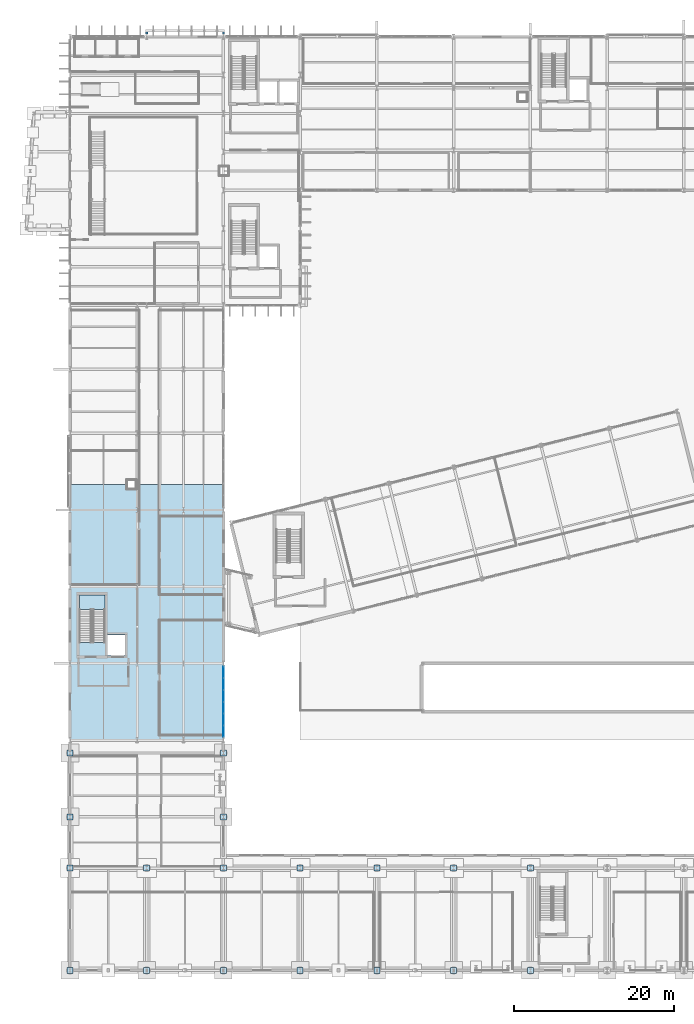
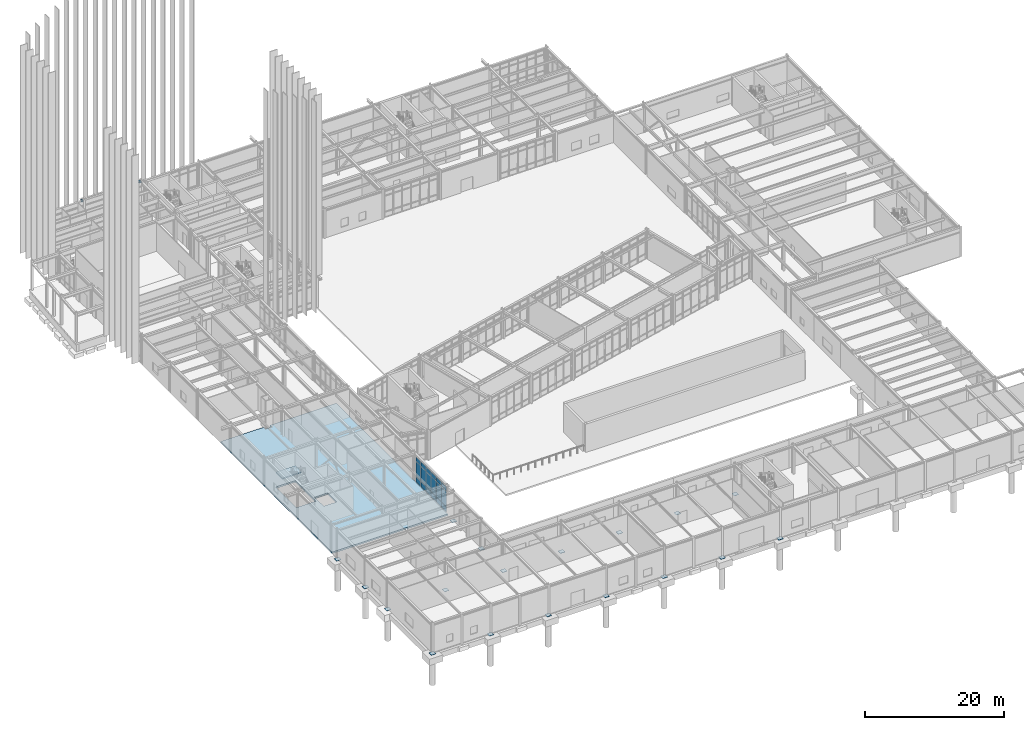
# One storey, part 65 of 109: 36 plates, 2 beams, 2 slabs, 2 elements without a shape of their own.
"""IFC4 building model written with IfcOpenShell, lengths in metres."""

from ifc_helpers import new_model, si_unit, direction, frame, origin, origin_2d, place, context, subcontext, project, spatial, polyline, rectangle, i_section, outline, extrude, material, layer, layer_set, material_profile, profile_set, type_object, element, aggregate, save


model = new_model("IFC4")

# Units and contexts
model_context = context("Model", 3, precision=1e-05, world=origin(), true_north=direction((0.0, 1.0)))
body_context = subcontext(model_context, "Body", "Model", "MODEL_VIEW")
ifc_project = project(units=[si_unit("LENGTHUNIT", "METRE"), si_unit("AREAUNIT", "SQUARE_METRE"), si_unit("VOLUMEUNIT", "CUBIC_METRE"), si_unit("PLANEANGLEUNIT", "RADIAN"), si_unit("MASSUNIT", "GRAM", prefix="KILO")], contexts=[model_context])

# Site, building, storey
site_placement = place(None, origin())
site = spatial("IfcSite", under=ifc_project, at=site_placement, CompositionType="ELEMENT")
building_placement = place(site_placement, origin())
building = spatial("IfcBuilding", under=site, at=building_placement, Name="Nordkorset Police Headquarters", CompositionType="ELEMENT")
storey_placement = place(building_placement, origin())
storey = spatial("IfcBuildingStorey", under=building, at=storey_placement, Name="L00", CompositionType="ELEMENT", Elevation=0.0)

# Beams
ifc_material_1 = material(Name="Steel S355J2", Category="steel")
ifc_material_profile = material_profile(ifc_material_1, i_section(OverallWidth=0.280029296875, OverallDepth=0.27001953125, WebThickness=0.008056640625, FlangeThickness=0.012939453125, FilletRadius=0.02392578125, at=origin_2d()), Name="HEA 280")
ifc_profile_set = profile_set([ifc_material_profile], Name="Steel S355J2")
beam_type = type_object("IfcBeamType", Name="Spandrel_HEA_280", PredefinedType="SPANDREL", material=ifc_profile_set)
for number, where, z_axis, x_axis, name in (
    (1, (9.60009765625, 117.1240234375, 4.60009765625), (0.0, 1.0, 0.0), (-1.0, 0.0, 0.0), "Facade Fin Outrigger Beam North 1"),
    (2, (19.199951171875, 117.1240234375, 4.60009765625), (0.0, 1.0, 0.0), (-1.0, 0.0, 0.0), "Facade Fin Outrigger Beam North 2"),
):
    element("IfcBeam", number, at=place(storey_placement, frame(where, z_axis=z_axis, x_axis=x_axis)), inside=storey, type_object=beam_type, Name=name, PredefinedType="SPANDREL", context=body_context, shape_type="SweptSolid", body=[
        extrude(i_section(OverallWidth=0.280029296875, OverallDepth=0.27001953125, WebThickness=0.008056640625, FlangeThickness=0.012939453125, FilletRadius=0.02392578125, at=origin_2d()), origin(), (0.0, 0.0, 1.0), 0.285888671875),
    ])

# Curtain wall, plates
ifc_material_2 = material(Name="Aluminium alloy AW-6060", Category="aluminium")
ifc_layer_1 = layer(ifc_material_2, 0.179931640625, Name="Aluminium alloy AW-6060")
ifc_layer_set_1 = layer_set([ifc_layer_1], Name="Aluminium alloy AW-6060")
curtain_wall_type = type_object("IfcCurtainWallType", Name="CW_Unit_888x454", PredefinedType="USERDEFINED", material=ifc_layer_set_1)
curtain_wall_placement = place(storey_placement, origin())
curtain_wall = element("IfcCurtainWall", 3, at=curtain_wall_placement, inside=storey, type_object=curtain_wall_type, Name="Unitised Curtain Wall L00 V3E-0", ObjectType="UNITISED CURTAIN WALL", PredefinedType="USERDEFINED")
ifc_material_3 = material(Name="Low-iron triple glazing", Category="glass")
ifc_layer_2 = layer(ifc_material_3, 0.035888671875, Name="Low-iron triple glazing")
ifc_layer_set_2 = layer_set([ifc_layer_2], Name="Low-iron triple glazing")
plate_type_1 = type_object("IfcPlateType", Name="CW_Panel_TripleGlazing_36", PredefinedType="CURTAIN_PANEL", material=ifc_layer_set_2)
plate_1_placement = place(storey_placement, frame((19.199951171875, 29.916259765625, 0.06494140625), z_axis=(0.0, 0.0, 1.0), x_axis=(0.0, 1.0, 0.0)))
plate_1 = element("IfcPlate", 4, at=plate_1_placement, type_object=plate_type_1, Name="CW-82 panel 1.1", PredefinedType="CURTAIN_PANEL", context=body_context, shape_type="SweptSolid", body=[
    extrude(rectangle(XDim=1.382568359375, YDim=0.035888671875, at=origin_2d()), origin(), (0.0, 0.0, 1.0), 0.902587890625),
])
plate_2_placement = place(storey_placement, frame((19.199951171875, 29.916259765625, 1.032470703125), z_axis=(0.0, 0.0, 1.0), x_axis=(0.0, 1.0, 0.0)))
plate_2 = element("IfcPlate", 5, at=plate_2_placement, type_object=plate_type_1, Name="CW-82 panel 1.2", PredefinedType="CURTAIN_PANEL", context=body_context, shape_type="SweptSolid", body=[
    extrude(rectangle(XDim=1.382568359375, YDim=0.035888671875, at=origin_2d()), origin(), (0.0, 0.0, 1.0), 2.625),
])
plate_3_placement = place(storey_placement, frame((19.199951171875, 29.916259765625, 3.722412109375), z_axis=(0.0, 0.0, 1.0), x_axis=(0.0, 1.0, 0.0)))
plate_3 = element("IfcPlate", 6, at=plate_3_placement, type_object=plate_type_1, Name="CW-82 panel 1.3", PredefinedType="CURTAIN_PANEL", context=body_context, shape_type="SweptSolid", body=[
    extrude(rectangle(XDim=1.382568359375, YDim=0.035888671875, at=origin_2d()), origin(), (0.0, 0.0, 1.0), 0.75244140625),
])
plate_4_placement = place(storey_placement, frame((19.199951171875, 31.3798828125, 0.06494140625), z_axis=(0.0, 0.0, 1.0), x_axis=(0.0, 1.0, 0.0)))
plate_4 = element("IfcPlate", 7, at=plate_4_placement, type_object=plate_type_1, Name="CW-82 panel 2.1", PredefinedType="CURTAIN_PANEL", context=body_context, shape_type="SweptSolid", body=[
    extrude(rectangle(XDim=1.4150390625, YDim=0.035888671875, at=origin_2d()), origin(), (0.0, 0.0, 1.0), 0.902587890625),
])
plate_5_placement = place(storey_placement, frame((19.199951171875, 31.3798828125, 1.032470703125), z_axis=(0.0, 0.0, 1.0), x_axis=(0.0, 1.0, 0.0)))
plate_5 = element("IfcPlate", 8, at=plate_5_placement, type_object=plate_type_1, Name="CW-82 panel 2.2", PredefinedType="CURTAIN_PANEL", context=body_context, shape_type="SweptSolid", body=[
    extrude(rectangle(XDim=1.4150390625, YDim=0.035888671875, at=origin_2d()), origin(), (0.0, 0.0, 1.0), 2.625),
])
plate_6_placement = place(storey_placement, frame((19.199951171875, 31.3798828125, 3.722412109375), z_axis=(0.0, 0.0, 1.0), x_axis=(0.0, 1.0, 0.0)))
plate_6 = element("IfcPlate", 9, at=plate_6_placement, type_object=plate_type_1, Name="CW-82 panel 2.3", PredefinedType="CURTAIN_PANEL", context=body_context, shape_type="SweptSolid", body=[
    extrude(rectangle(XDim=1.4150390625, YDim=0.035888671875, at=origin_2d()), origin(), (0.0, 0.0, 1.0), 0.75244140625),
])
plate_7_placement = place(storey_placement, frame((19.199951171875, 32.860107421875, 0.06494140625), z_axis=(0.0, 0.0, 1.0), x_axis=(0.0, 1.0, 0.0)))
plate_7 = element("IfcPlate", 10, at=plate_7_placement, type_object=plate_type_1, Name="CW-82 panel 3.1", PredefinedType="CURTAIN_PANEL", context=body_context, shape_type="SweptSolid", body=[
    extrude(rectangle(XDim=1.4150390625, YDim=0.035888671875, at=origin_2d()), origin(), (0.0, 0.0, 1.0), 0.902587890625),
])
plate_8_placement = place(storey_placement, frame((19.199951171875, 32.860107421875, 1.032470703125), z_axis=(0.0, 0.0, 1.0), x_axis=(0.0, 1.0, 0.0)))
plate_8 = element("IfcPlate", 11, at=plate_8_placement, type_object=plate_type_1, Name="CW-82 panel 3.2", PredefinedType="CURTAIN_PANEL", context=body_context, shape_type="SweptSolid", body=[
    extrude(rectangle(XDim=1.4150390625, YDim=0.035888671875, at=origin_2d()), origin(), (0.0, 0.0, 1.0), 2.625),
])
plate_9_placement = place(storey_placement, frame((19.199951171875, 32.860107421875, 3.722412109375), z_axis=(0.0, 0.0, 1.0), x_axis=(0.0, 1.0, 0.0)))
plate_9 = element("IfcPlate", 12, at=plate_9_placement, type_object=plate_type_1, Name="CW-82 panel 3.3", PredefinedType="CURTAIN_PANEL", context=body_context, shape_type="SweptSolid", body=[
    extrude(rectangle(XDim=1.4150390625, YDim=0.035888671875, at=origin_2d()), origin(), (0.0, 0.0, 1.0), 0.75244140625),
])
plate_10_placement = place(storey_placement, frame((19.199951171875, 34.340087890625, 0.06494140625), z_axis=(0.0, 0.0, 1.0), x_axis=(0.0, 1.0, 0.0)))
plate_10 = element("IfcPlate", 13, at=plate_10_placement, type_object=plate_type_1, Name="CW-82 panel 4.1", PredefinedType="CURTAIN_PANEL", context=body_context, shape_type="SweptSolid", body=[
    extrude(rectangle(XDim=1.4150390625, YDim=0.035888671875, at=origin_2d()), origin(), (0.0, 0.0, 1.0), 0.902587890625),
])
plate_11_placement = place(storey_placement, frame((19.199951171875, 34.340087890625, 1.032470703125), z_axis=(0.0, 0.0, 1.0), x_axis=(0.0, 1.0, 0.0)))
plate_11 = element("IfcPlate", 14, at=plate_11_placement, type_object=plate_type_1, Name="CW-82 panel 4.2", PredefinedType="CURTAIN_PANEL", context=body_context, shape_type="SweptSolid", body=[
    extrude(rectangle(XDim=1.4150390625, YDim=0.035888671875, at=origin_2d()), origin(), (0.0, 0.0, 1.0), 2.625),
])
plate_12_placement = place(storey_placement, frame((19.199951171875, 34.340087890625, 3.722412109375), z_axis=(0.0, 0.0, 1.0), x_axis=(0.0, 1.0, 0.0)))
plate_12 = element("IfcPlate", 15, at=plate_12_placement, type_object=plate_type_1, Name="CW-82 panel 4.3", PredefinedType="CURTAIN_PANEL", context=body_context, shape_type="SweptSolid", body=[
    extrude(rectangle(XDim=1.4150390625, YDim=0.035888671875, at=origin_2d()), origin(), (0.0, 0.0, 1.0), 0.75244140625),
])
plate_13_placement = place(storey_placement, frame((19.199951171875, 35.820068359375, 0.06494140625), z_axis=(0.0, 0.0, 1.0), x_axis=(0.0, 1.0, 0.0)))
plate_13 = element("IfcPlate", 16, at=plate_13_placement, type_object=plate_type_1, Name="CW-82 panel 5.1", PredefinedType="CURTAIN_PANEL", context=body_context, shape_type="SweptSolid", body=[
    extrude(rectangle(XDim=1.4150390625, YDim=0.035888671875, at=origin_2d()), origin(), (0.0, 0.0, 1.0), 0.902587890625),
])
plate_14_placement = place(storey_placement, frame((19.199951171875, 35.820068359375, 1.032470703125), z_axis=(0.0, 0.0, 1.0), x_axis=(0.0, 1.0, 0.0)))
plate_14 = element("IfcPlate", 17, at=plate_14_placement, type_object=plate_type_1, Name="CW-82 panel 5.2", PredefinedType="CURTAIN_PANEL", context=body_context, shape_type="SweptSolid", body=[
    extrude(rectangle(XDim=1.4150390625, YDim=0.035888671875, at=origin_2d()), origin(), (0.0, 0.0, 1.0), 2.625),
])
plate_15_placement = place(storey_placement, frame((19.199951171875, 35.820068359375, 3.722412109375), z_axis=(0.0, 0.0, 1.0), x_axis=(0.0, 1.0, 0.0)))
plate_15 = element("IfcPlate", 18, at=plate_15_placement, type_object=plate_type_1, Name="CW-82 panel 5.3", PredefinedType="CURTAIN_PANEL", context=body_context, shape_type="SweptSolid", body=[
    extrude(rectangle(XDim=1.4150390625, YDim=0.035888671875, at=origin_2d()), origin(), (0.0, 0.0, 1.0), 0.75244140625),
])
plate_16_placement = place(storey_placement, frame((19.199951171875, 37.28369140625, 0.06494140625), z_axis=(0.0, 0.0, 1.0), x_axis=(0.0, 1.0, 0.0)))
plate_16 = element("IfcPlate", 19, at=plate_16_placement, type_object=plate_type_1, Name="CW-82 panel 6.1", PredefinedType="CURTAIN_PANEL", context=body_context, shape_type="SweptSolid", body=[
    extrude(rectangle(XDim=1.382568359375, YDim=0.035888671875, at=origin_2d()), origin(), (0.0, 0.0, 1.0), 0.902587890625),
])
plate_17_placement = place(storey_placement, frame((19.199951171875, 37.28369140625, 1.032470703125), z_axis=(0.0, 0.0, 1.0), x_axis=(0.0, 1.0, 0.0)))
plate_17 = element("IfcPlate", 20, at=plate_17_placement, type_object=plate_type_1, Name="CW-82 panel 6.2", PredefinedType="CURTAIN_PANEL", context=body_context, shape_type="SweptSolid", body=[
    extrude(rectangle(XDim=1.382568359375, YDim=0.035888671875, at=origin_2d()), origin(), (0.0, 0.0, 1.0), 2.625),
])
plate_18_placement = place(storey_placement, frame((19.199951171875, 37.28369140625, 3.722412109375), z_axis=(0.0, 0.0, 1.0), x_axis=(0.0, 1.0, 0.0)))
plate_18 = element("IfcPlate", 21, at=plate_18_placement, type_object=plate_type_1, Name="CW-82 panel 6.3", PredefinedType="CURTAIN_PANEL", context=body_context, shape_type="SweptSolid", body=[
    extrude(rectangle(XDim=1.382568359375, YDim=0.035888671875, at=origin_2d()), origin(), (0.0, 0.0, 1.0), 0.75244140625),
])
aggregate(curtain_wall, [plate_1, plate_2, plate_3, plate_4, plate_5, plate_6, plate_7, plate_8, plate_9, plate_10, plate_11, plate_12, plate_13, plate_14, plate_15, plate_16, plate_17, plate_18])

# Slab
ifc_material_4 = material(Name="Concrete C35/45", Category="concrete")
ifc_layer_3 = layer(ifc_material_4, 0.27001953125, Name="Concrete C35/45")
ifc_layer_set_3 = layer_set([ifc_layer_3], Name="Concrete C35/45")
slab_type_1 = type_object("IfcSlabType", Name="Slab_Ground_270", PredefinedType="FLOOR", material=ifc_layer_set_3)
slab_1_placement = place(storey_placement, frame((0.0, 0.0, -0.27001953125)))
element("IfcSlab", 22, at=slab_1_placement, inside=storey, type_object=slab_type_1, Name="Composite Floor Slab V3 South L00", PredefinedType="FLOOR", context=body_context, shape_type="SweptSolid", body=[
    extrude(outline(polyline([(7.199951171875, 60.800048828125), (7.199951171875, 60.300048828125), (8.199951171875, 60.300048828125), (8.199951171875, 60.800048828125), (19.199951171875, 60.800048828125), (19.199951171875, 28.800048828125), (0.0, 28.800048828125), (0.0, 60.800048828125), (7.199951171875, 60.800048828125)]), holes=[polyline([(1.175048828125, 46.97509765625), (1.175048828125, 41.028076171875), (4.375, 41.028076171875), (4.375, 46.97509765625), (1.175048828125, 46.97509765625)]), polyline([(6.875, 41.97509765625), (4.72509765625, 41.97509765625), (4.72509765625, 39.375), (6.875, 39.375), (6.875, 41.97509765625)])]), origin(), (0.0, 0.0, 1.0), 0.27001953125),
])

# Stair, slab
ifc_material_5 = material(Name="Concrete C35/45", Category="concrete")
stair_type = type_object("IfcStairType", Name="ST-52", PredefinedType="HALF_TURN_STAIR", material=ifc_material_5)
stair_placement = place(storey_placement, origin())
stair = element("IfcStair", 23, at=stair_placement, inside=storey, type_object=stair_type, Name="L00 Protected Escape Stair ST-04", PredefinedType="HALF_TURN_STAIR")
ifc_material_6 = material(Name="Concrete C35/45", Category="concrete")
ifc_layer_4 = layer(ifc_material_6, 0.199951171875, Name="Concrete C35/45")
ifc_layer_set_4 = layer_set([ifc_layer_4], Name="Concrete C35/45")
slab_type_2 = type_object("IfcSlabType", Name="Slab_StairLanding_200", PredefinedType="LANDING", material=ifc_layer_set_4)
slab_2_placement = place(storey_placement, frame((0.0, 0.0, 2.425048828125)))
slab_2 = element("IfcSlab", 24, at=slab_2_placement, type_object=slab_type_2, Name="ST-04 landing 1", PredefinedType="LANDING", context=body_context, shape_type="SweptSolid", body=[
    extrude(outline(polyline([(4.375, 45.155029296875), (4.375, 46.97509765625), (1.175048828125, 46.97509765625), (1.175048828125, 45.155029296875), (4.375, 45.155029296875)])), origin(), (0.0, 0.0, 1.0), 0.199951171875),
])
aggregate(stair, [slab_2])

# Plates
ifc_material_7 = material(Name="Steel S355J2", Category="steel")
ifc_layer_5 = layer(ifc_material_7, 0.0400390625, Name="Steel S355J2")
ifc_layer_set_5 = layer_set([ifc_layer_5], Name="Steel S355J2")
plate_type_2 = type_object("IfcPlateType", Name="SteelPlate_40mm", PredefinedType="SHEET", material=ifc_layer_set_5)
for number, where, z_axis, x_axis, name in (
    (25, (0.0, 0.0, -0.27001953125), (0.0, 0.0, 1.0), (1.0, 0.0, 0.0), "Column Baseplate V7_S0_0"),
    (26, (0.0, 12.800048828125, -0.27001953125), (0.0, 0.0, 1.0), (1.0, 0.0, 0.0), "Column Baseplate V7_S1_0"),
    (27, (9.60009765625, 0.0, -0.27001953125), (0.0, 0.0, 1.0), (1.0, 0.0, 0.0), "Column Baseplate V7_S0_1"),
    (28, (9.60009765625, 12.800048828125, -0.27001953125), (0.0, 0.0, 1.0), (1.0, 0.0, 0.0), "Column Baseplate V7_S1_1"),
    (29, (19.199951171875, 0.0, -0.27001953125), (0.0, 0.0, 1.0), (1.0, 0.0, 0.0), "Column Baseplate V7_S0_2"),
    (30, (19.199951171875, 12.800048828125, -0.27001953125), (0.0, 0.0, 1.0), (1.0, 0.0, 0.0), "Column Baseplate V7_S1_2"),
    (31, (28.800048828125, 0.0, -0.27001953125), (0.0, 0.0, 1.0), (1.0, 0.0, 0.0), "Column Baseplate V7_S0_3"),
    (32, (28.800048828125, 12.800048828125, -0.27001953125), (0.0, 0.0, 1.0), (1.0, 0.0, 0.0), "Column Baseplate V7_S1_3"),
    (33, (38.39990234375, 0.0, -0.27001953125), (0.0, 0.0, 1.0), (1.0, 0.0, 0.0), "Column Baseplate V7_S0_4"),
    (34, (38.39990234375, 12.800048828125, -0.27001953125), (0.0, 0.0, 1.0), (1.0, 0.0, 0.0), "Column Baseplate V7_S1_4"),
    (35, (48.0, 0.0, -0.27001953125), (0.0, 0.0, 1.0), (1.0, 0.0, 0.0), "Column Baseplate V7_S0_5"),
    (36, (48.0, 12.800048828125, -0.27001953125), (0.0, 0.0, 1.0), (1.0, 0.0, 0.0), "Column Baseplate V7_S1_5"),
    (37, (57.60009765625, 0.0, -0.27001953125), (0.0, 0.0, 1.0), (1.0, 0.0, 0.0), "Column Baseplate V7_S0_6"),
    (38, (57.60009765625, 12.800048828125, -0.27001953125), (0.0, 0.0, 1.0), (1.0, 0.0, 0.0), "Column Baseplate V7_S1_6"),
    (39, (0.0, 19.199951171875, -0.27001953125), (0.0, 0.0, 1.0), (1.0, 0.0, 0.0), "Column Baseplate V7_WC_0_192"),
    (40, (19.199951171875, 19.199951171875, -0.27001953125), (0.0, 0.0, 1.0), (1.0, 0.0, 0.0), "Column Baseplate V7_WC_1_192"),
    (41, (0.0, 27.199951171875, -0.27001953125), (0.0, 0.0, 1.0), (1.0, 0.0, 0.0), "Column Baseplate V7_WC_0_272"),
    (42, (19.199951171875, 27.199951171875, -0.27001953125), (0.0, 0.0, 1.0), (1.0, 0.0, 0.0), "Column Baseplate V7_WC_1_272"),
):
    element("IfcPlate", number, at=place(storey_placement, frame(where, z_axis=z_axis, x_axis=x_axis)), inside=storey, type_object=plate_type_2, Name=name, PredefinedType="SHEET", context=body_context, shape_type="SweptSolid", body=[
        extrude(rectangle(XDim=0.75, YDim=0.75, at=origin_2d()), origin(), (0.0, 0.0, 1.0), 0.0400390625),
    ])

save(model, "model.ifc")
